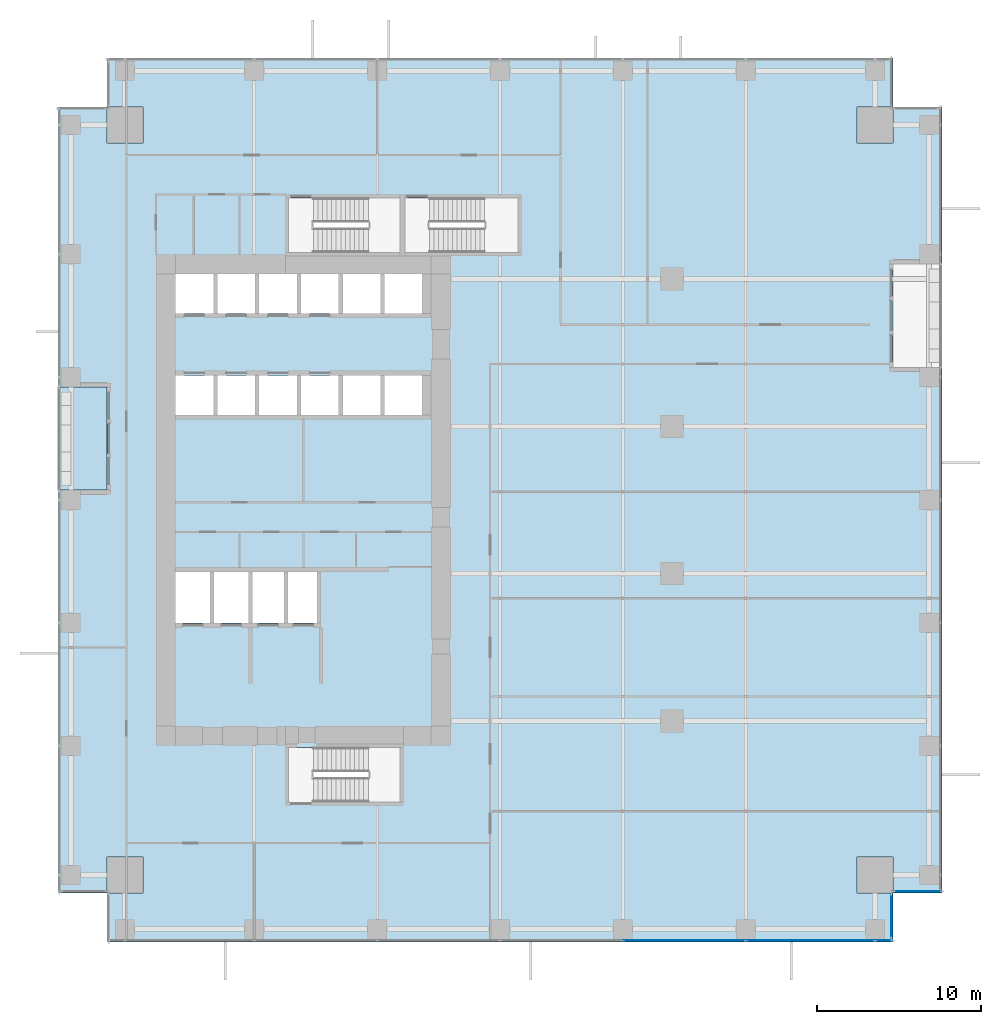
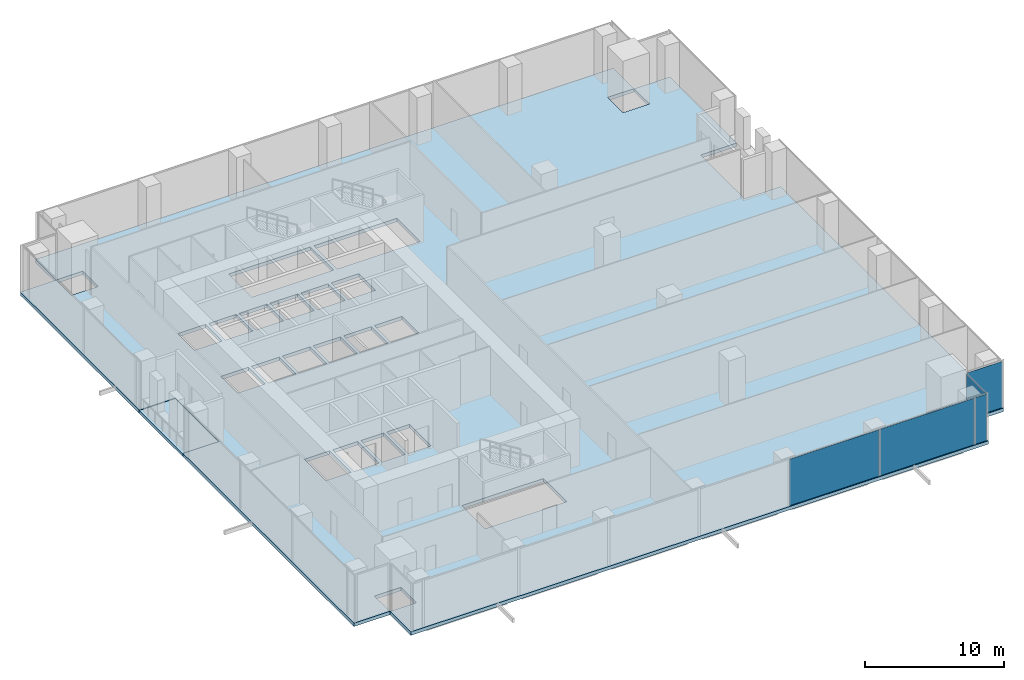
# One storey, part 22 of 32: 5 plates, 2 slabs, 3 elements without a shape of their own.
"""IFC4 building model written with IfcOpenShell, lengths in metres."""

from ifc_helpers import new_model, si_unit, direction, frame, origin, origin_2d, place, context, subcontext, project, spatial, polyline, rectangle, outline, extrude, source, transform, mapped, material, layer, layer_set, type_object, element, aggregate, save


model = new_model("IFC4")

# Units and contexts
model_context = context("Model", 3, precision=1e-05, world=origin(), true_north=direction((0.0, 1.0)))
body_context = subcontext(model_context, "Body", "Model", "MODEL_VIEW")
ifc_project = project(units=[si_unit("LENGTHUNIT", "METRE"), si_unit("AREAUNIT", "SQUARE_METRE"), si_unit("VOLUMEUNIT", "CUBIC_METRE"), si_unit("PLANEANGLEUNIT", "RADIAN"), si_unit("MASSUNIT", "GRAM", prefix="KILO")], contexts=[model_context])

# Site, building, storey
site_placement = place(None, origin())
site = spatial("IfcSite", under=ifc_project, at=site_placement, CompositionType="ELEMENT")
building_placement = place(site_placement, origin())
building = spatial("IfcBuilding", under=site, at=building_placement, Name="Khomas Fold Tower", CompositionType="ELEMENT")
storey_placement = place(building_placement, frame((0.0, 0.0, 64.5)))
storey = spatial("IfcBuildingStorey", under=building, at=storey_placement, Name="L13", CompositionType="ELEMENT", Elevation=64.5)

# Slab
ifc_material_1 = material(Name="Concrete C40/50", Category="concrete")
ifc_layer_1 = layer(ifc_material_1, 0.300048828125)
ifc_layer_set_1 = layer_set([ifc_layer_1], Name="Concrete C40/50")
slab_type_1 = type_object("IfcSlabType", Name="RC floor slab 300", PredefinedType="FLOOR", material=ifc_layer_set_1)
shared_shape_1 = source(origin(), body_context, "Body", "SweptSolid", [
    extrude(outline(polyline([(0.0, 3.0), (2.9951171875, 3.0), (2.9951171875, 5.205078125), (5.205078125, 5.205078125), (5.205078125, 2.9951171875), (3.0, 2.9951171875), (3.0, 0.0), (51.0, 0.0), (51.0, 2.9951171875), (48.794921875, 2.9951171875), (48.794921875, 5.205078125), (51.0048828125, 5.205078125), (51.0048828125, 3.0), (54.0, 3.0), (54.0, 35.10009765625), (51.0, 35.10009765625), (51.0, 41.39990234375), (54.0, 41.39990234375), (54.0, 51.0), (51.0048828125, 51.0), (51.0048828125, 48.794921875), (48.794921875, 48.794921875), (48.794921875, 51.0048828125), (51.0, 51.0048828125), (51.0, 54.0), (3.0, 54.0), (3.0, 51.0048828125), (5.205078125, 51.0048828125), (5.205078125, 48.794921875), (2.9951171875, 48.794921875), (2.9951171875, 51.0), (0.0, 51.0), (0.0, 33.89990234375), (3.0, 33.89990234375), (3.0, 27.60009765625), (0.0, 27.60009765625), (0.0, 3.0)]), holes=[polyline([(7.199951171875, 19.5), (7.199951171875, 22.60009765625), (9.300048828125, 22.60009765625), (9.300048828125, 19.5), (7.199951171875, 19.5)]), polyline([(7.199951171875, 32.199951171875), (7.199951171875, 34.60009765625), (9.5, 34.60009765625), (9.5, 32.199951171875), (7.199951171875, 32.199951171875)]), polyline([(7.199951171875, 38.39990234375), (7.199951171875, 40.800048828125), (9.5, 40.800048828125), (9.5, 38.39990234375), (7.199951171875, 38.39990234375)]), polyline([(9.550048828125, 19.5), (9.550048828125, 22.60009765625), (11.64990234375, 22.60009765625), (11.64990234375, 19.5), (9.550048828125, 19.5)]), polyline([(9.75, 32.199951171875), (9.75, 34.60009765625), (12.050048828125, 34.60009765625), (12.050048828125, 32.199951171875), (9.75, 32.199951171875)]), polyline([(9.75, 38.39990234375), (9.75, 40.800048828125), (12.050048828125, 40.800048828125), (12.050048828125, 38.39990234375), (9.75, 38.39990234375)]), polyline([(11.89990234375, 19.5), (11.89990234375, 22.60009765625), (13.800048828125, 22.60009765625), (13.800048828125, 19.5), (11.89990234375, 19.5)]), polyline([(12.300048828125, 32.199951171875), (12.300048828125, 34.60009765625), (14.60009765625, 34.60009765625), (14.60009765625, 32.199951171875), (12.300048828125, 32.199951171875)]), polyline([(12.300048828125, 38.39990234375), (12.300048828125, 40.800048828125), (14.60009765625, 40.800048828125), (14.60009765625, 38.39990234375), (12.300048828125, 38.39990234375)]), polyline([(14.050048828125, 19.5), (14.050048828125, 22.60009765625), (15.949951171875, 22.60009765625), (15.949951171875, 19.5), (14.050048828125, 19.5)]), polyline([(14.10009765625, 8.550048828125), (14.10009765625, 11.89990234375), (20.89990234375, 11.89990234375), (20.89990234375, 8.550048828125), (14.10009765625, 8.550048828125)]), polyline([(14.10009765625, 42.10009765625), (14.10009765625, 45.449951171875), (20.89990234375, 45.449951171875), (20.89990234375, 42.10009765625), (14.10009765625, 42.10009765625)]), polyline([(14.85009765625, 32.199951171875), (14.85009765625, 34.60009765625), (17.14990234375, 34.60009765625), (17.14990234375, 32.199951171875), (14.85009765625, 32.199951171875)]), polyline([(14.85009765625, 38.39990234375), (14.85009765625, 40.800048828125), (17.14990234375, 40.800048828125), (17.14990234375, 38.39990234375), (14.85009765625, 38.39990234375)]), polyline([(17.39990234375, 32.199951171875), (17.39990234375, 34.60009765625), (19.699951171875, 34.60009765625), (19.699951171875, 32.199951171875), (17.39990234375, 32.199951171875)]), polyline([(17.39990234375, 38.39990234375), (17.39990234375, 40.800048828125), (19.699951171875, 40.800048828125), (19.699951171875, 38.39990234375), (17.39990234375, 38.39990234375)]), polyline([(19.949951171875, 32.199951171875), (19.949951171875, 34.60009765625), (22.25, 34.60009765625), (22.25, 32.199951171875), (19.949951171875, 32.199951171875)]), polyline([(19.949951171875, 38.39990234375), (19.949951171875, 40.800048828125), (22.25, 40.800048828125), (22.25, 38.39990234375), (19.949951171875, 38.39990234375)]), polyline([(21.199951171875, 42.10009765625), (21.199951171875, 45.449951171875), (28.10009765625, 45.449951171875), (28.10009765625, 42.10009765625), (21.199951171875, 42.10009765625)])]), origin(), (0.0, 0.0, 1.0), 0.300048828125),
])
slab_1_placement = place(storey_placement, frame((0.0, 0.0, -0.300048828125)))
element("IfcSlab", 1, at=slab_1_placement, inside=storey, type_object=slab_type_1, Name="S-L13", PredefinedType="FLOOR", context=body_context, shape_type="MappedRepresentation", body=[
    mapped(shared_shape_1, transform((0.0, 0.0, 0.0))),
])

# Curtain wall, plates
ifc_material_2 = material(Name="Aluminium framed double glazing", Category="aluminium")
curtain_wall_type = type_object("IfcCurtainWallType", Name="SK-Unitised clear-glass wall, growing floors CW1", PredefinedType="NOTDEFINED", material=ifc_material_2)
curtain_wall_1_placement = place(storey_placement, origin())
curtain_wall_1 = element("IfcCurtainWall", 2, at=curtain_wall_1_placement, inside=storey, type_object=curtain_wall_type, Name="CW1 run L13 00-0", PredefinedType="NOTDEFINED")
ifc_material_3 = material(Name="Clear double glazed unit")
ifc_layer_2 = layer(ifc_material_3, 0.031982421875)
ifc_layer_set_2 = layer_set([ifc_layer_2], Name="Clear double glazed unit")
plate_type = type_object("IfcPlateType", Name="SK-Unitised clear-glass wall, growing floors glass panel CW1-P", PredefinedType="CURTAIN_PANEL", material=ifc_layer_set_2)
shared_shape_2 = source(origin(), body_context, "Body", "SweptSolid", [
    extrude(rectangle(XDim=7.840087890625, YDim=0.031982421875, at=origin_2d()), origin(), (0.0, 0.0, 1.0), 4.080078125),
])
plate_1_placement = place(storey_placement, frame((45.949951171875, 0.10009765625, 0.0), z_axis=(0.0, 0.0, 1.0), x_axis=(1.0, 0.0, 0.0)))
plate_1 = element("IfcPlate", 3, at=plate_1_placement, type_object=plate_type, Name="CW1 glass panel 7", PredefinedType="CURTAIN_PANEL", context=body_context, shape_type="MappedRepresentation", body=[
    mapped(shared_shape_2, transform((0.0, 0.0, 0.0))),
])
shared_shape_3 = source(origin(), body_context, "Body", "SweptSolid", [
    extrude(rectangle(XDim=7.43994140625, YDim=0.031982421875, at=origin_2d()), origin(), (0.0, 0.0, 1.0), 4.080078125),
])
plate_2_placement = place(storey_placement, frame((38.25, 0.10009765625, 0.0), z_axis=(0.0, 0.0, 1.0), x_axis=(1.0, 0.0, 0.0)))
plate_2 = element("IfcPlate", 4, at=plate_2_placement, type_object=plate_type, Name="CW1 glass panel 6", PredefinedType="CURTAIN_PANEL", context=body_context, shape_type="MappedRepresentation", body=[
    mapped(shared_shape_3, transform((0.0, 0.0, 0.0))),
])
shared_shape_4 = source(origin(), body_context, "Body", "SweptSolid", [
    extrude(rectangle(XDim=1.010009765625, YDim=0.031982421875, at=origin_2d()), origin(), (0.0, 0.0, 1.0), 4.080078125),
])
plate_3_placement = place(storey_placement, frame((50.43505859375, 0.10009765625, 0.0), z_axis=(0.0, 0.0, 1.0), x_axis=(1.0, 0.0, 0.0)))
plate_3 = element("IfcPlate", 5, at=plate_3_placement, type_object=plate_type, Name="CW1 glass panel 8", PredefinedType="CURTAIN_PANEL", context=body_context, shape_type="MappedRepresentation", body=[
    mapped(shared_shape_4, transform((0.0, 0.0, 0.0))),
])
aggregate(curtain_wall_1, [plate_2, plate_1, plate_3])

# Curtain wall, plate
curtain_wall_2_placement = place(storey_placement, origin())
curtain_wall_2 = element("IfcCurtainWall", 6, at=curtain_wall_2_placement, inside=storey, type_object=curtain_wall_type, Name="CW1 corner return L13 01", PredefinedType="NOTDEFINED")
shared_shape_5 = source(origin(), body_context, "Body", "SweptSolid", [
    extrude(rectangle(XDim=2.679931640625, YDim=0.031982421875, at=origin_2d()), origin(), (0.0, 0.0, 1.0), 4.080078125),
])
plate_4_placement = place(storey_placement, frame((50.89990234375, 1.60009765625, 0.0), z_axis=(0.0, 0.0, 1.0), x_axis=(0.0, 1.0, 0.0)))
plate_4 = element("IfcPlate", 7, at=plate_4_placement, type_object=plate_type, Name="CW1 glass panel 1", PredefinedType="CURTAIN_PANEL", context=body_context, shape_type="MappedRepresentation", body=[
    mapped(shared_shape_5, transform((0.0, 0.0, 0.0))),
])
aggregate(curtain_wall_2, [plate_4])

curtain_wall_3_placement = place(storey_placement, origin())
curtain_wall_3 = element("IfcCurtainWall", 8, at=curtain_wall_3_placement, inside=storey, type_object=curtain_wall_type, Name="CW1 corner return L13 02", PredefinedType="NOTDEFINED")
shared_shape_6 = source(origin(), body_context, "Body", "SweptSolid", [
    extrude(rectangle(XDim=2.8798828125, YDim=0.031982421875, at=origin_2d()), origin(), (0.0, 0.0, 1.0), 4.080078125),
])
plate_5_placement = place(storey_placement, frame((52.5, 3.10009765625, 0.0), z_axis=(0.0, 0.0, 1.0), x_axis=(1.0, 0.0, 0.0)))
plate_5 = element("IfcPlate", 9, at=plate_5_placement, type_object=plate_type, Name="CW1 glass panel 1", PredefinedType="CURTAIN_PANEL", context=body_context, shape_type="MappedRepresentation", body=[
    mapped(shared_shape_6, transform((0.0, 0.0, 0.0))),
])
aggregate(curtain_wall_3, [plate_5])

# Slab
ifc_material_4 = material(Name="Concrete C40/50", Category="concrete")
ifc_layer_3 = layer(ifc_material_4, 0.2548828125)
ifc_layer_set_3 = layer_set([ifc_layer_3], Name="Concrete C40/50")
slab_type_2 = type_object("IfcSlabType", Name="BL-Balcony deck 255", PredefinedType="FLOOR", material=ifc_layer_set_3)
shared_shape_7 = source(origin(), body_context, "Body", "SweptSolid", [
    extrude(outline(polyline([(0.0, 27.60009765625), (3.0, 27.60009765625), (3.0, 33.89990234375), (0.0, 33.89990234375), (0.0, 27.60009765625)])), origin(), (0.0, 0.0, 1.0), 0.255126953125),
])
slab_2_placement = place(storey_placement, frame((0.0, 0.0, -0.300048828125)))
element("IfcSlab", 10, at=slab_2_placement, inside=storey, type_object=slab_type_2, Name="Balcony deck BAL-L13-W3", PredefinedType="FLOOR", context=body_context, shape_type="MappedRepresentation", body=[
    mapped(shared_shape_7, transform((0.0, 0.0, 0.0))),
])

save(model, "model.ifc")
